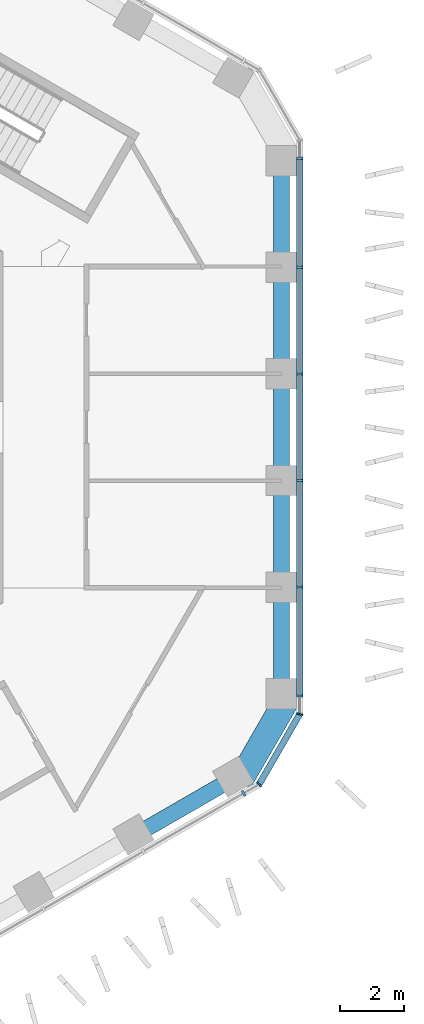
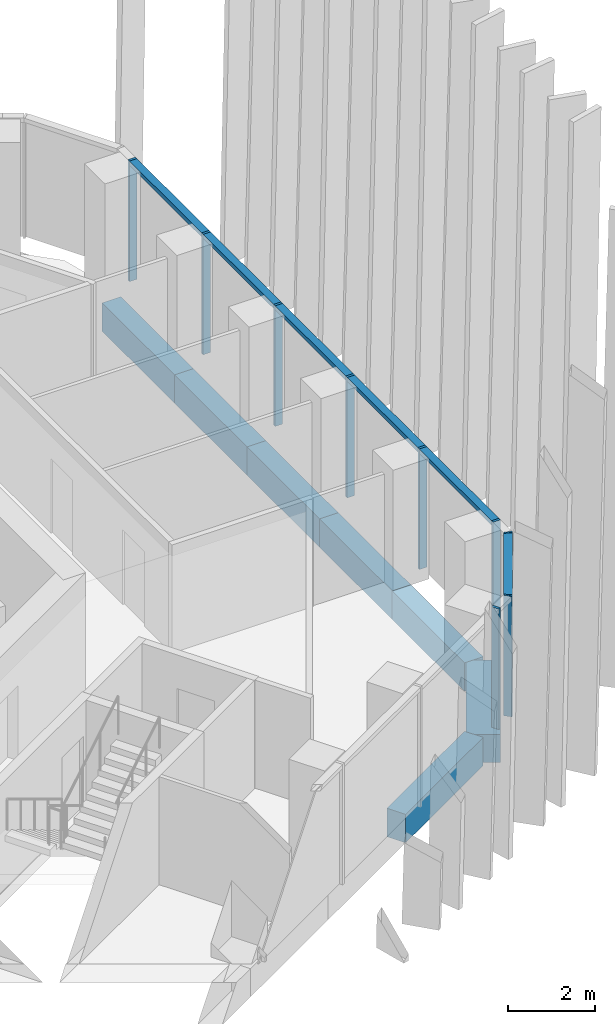
# One storey, part 5 of 21: 11 members, 7 beams, 3 elements without a shape of their own.
"""IFC4 building model written with IfcOpenShell, lengths in metres."""

from ifc_helpers import new_model, si_unit, direction, frame, origin, origin_2d, place, context, subcontext, project, spatial, rectangle, extrude, material, layer, layer_set, material_profile, profile_set, type_object, element, aggregate, save


model = new_model("IFC4")

# Units and contexts
model_context = context("Model", 3, precision=1e-05, world=origin(), true_north=direction((0.0, 1.0)))
body_context = subcontext(model_context, "Body", "Model", "MODEL_VIEW")
ifc_project = project(units=[si_unit("LENGTHUNIT", "METRE"), si_unit("AREAUNIT", "SQUARE_METRE"), si_unit("VOLUMEUNIT", "CUBIC_METRE"), si_unit("PLANEANGLEUNIT", "RADIAN"), si_unit("MASSUNIT", "GRAM", prefix="KILO")], contexts=[model_context])

# Site, building, storey
site_placement = place(None, origin())
site = spatial("IfcSite", under=ifc_project, at=site_placement, CompositionType="ELEMENT")
building_placement = place(site_placement, origin())
building = spatial("IfcBuilding", under=site, at=building_placement, Name="Ayvan Gate Tower", CompositionType="ELEMENT")
storey_placement = place(building_placement, frame((0.0, 0.0, 173.10009765625)))
storey = spatial("IfcBuildingStorey", under=building, at=storey_placement, Name="L46", CompositionType="ELEMENT", Elevation=173.10009765625)

# Beams
ifc_material_1 = material(Name="Concrete C40/50", Category="concrete")
ifc_material_profile_1 = material_profile(ifc_material_1, rectangle(XDim=0.800048828125, YDim=0.800048828125, at=origin_2d()), Name="RC 800x800")
ifc_profile_set_1 = profile_set([ifc_material_profile_1], Name="Concrete C40/50")
beam_type_1 = type_object("IfcBeamType", Name="Corner spandrel beam RC 800x800 C40/50", PredefinedType="BEAM", material=ifc_profile_set_1)
beam_1_placement = place(storey_placement, frame((16.876953125, -11.080078125, -0.75), z_axis=(0.499990139034, 0.866031096941, 0.0), x_axis=(-0.866031096941, 0.499990139034, 0.0)))
element("IfcBeam", 1, at=beam_1_placement, inside=storey, type_object=beam_type_1, Name="SB-L46-36", PredefinedType="BEAM", context=body_context, shape_type="SweptSolid", body=[
    extrude(rectangle(XDim=0.800048828125, YDim=0.800048828125, at=origin_2d()), origin(), (0.0, 0.0, 1.0), 3.0),
])
ifc_material_profile_2 = material_profile(ifc_material_1, rectangle(XDim=0.5, YDim=0.800048828125, at=origin_2d()), Name="RC 500x800")
ifc_profile_set_2 = profile_set([ifc_material_profile_2], Name="Concrete C40/50")
beam_type_2 = type_object("IfcBeamType", Name="Spandrel beam RC 500x800 C40/50", PredefinedType="BEAM", material=ifc_profile_set_2)
beam_2_placement = place(storey_placement, frame((18.1865234375, -8.371826171875, -0.75), z_axis=(0.0, 1.0, 0.0), x_axis=(-1.0, 0.0, 0.0)))
element("IfcBeam", 2, at=beam_2_placement, inside=storey, type_object=beam_type_2, Name="SB-L46-1", PredefinedType="BEAM", context=body_context, shape_type="SweptSolid", body=[
    extrude(rectangle(XDim=0.5, YDim=0.800048828125, at=origin_2d()), origin(), (0.0, 0.0, 1.0), 3.3486328125),
])
beam_3_placement = place(storey_placement, frame((18.1865234375, -5.023193359375, -0.75), z_axis=(0.0, 1.0, 0.0), x_axis=(-1.0, 0.0, 0.0)))
element("IfcBeam", 3, at=beam_3_placement, inside=storey, type_object=beam_type_2, Name="SB-L46-2", PredefinedType="BEAM", context=body_context, shape_type="SweptSolid", body=[
    extrude(rectangle(XDim=0.5, YDim=0.800048828125, at=origin_2d()), origin(), (0.0, 0.0, 1.0), 3.348876953125),
])
beam_4_placement = place(storey_placement, frame((18.1865234375, -1.67431640625, -0.75), z_axis=(0.0, 1.0, 0.0), x_axis=(-1.0, 0.0, 0.0)))
element("IfcBeam", 4, at=beam_4_placement, inside=storey, type_object=beam_type_2, Name="SB-L46-3", PredefinedType="BEAM", context=body_context, shape_type="SweptSolid", body=[
    extrude(rectangle(XDim=0.5, YDim=0.800048828125, at=origin_2d()), origin(), (0.0, 0.0, 1.0), 3.3486328125),
])
beam_5_placement = place(storey_placement, frame((18.1865234375, 1.67431640625, -0.75), z_axis=(0.0, 1.0, 0.0), x_axis=(-1.0, 0.0, 0.0)))
element("IfcBeam", 5, at=beam_5_placement, inside=storey, type_object=beam_type_2, Name="SB-L46-4", PredefinedType="BEAM", context=body_context, shape_type="SweptSolid", body=[
    extrude(rectangle(XDim=0.5, YDim=0.800048828125, at=origin_2d()), origin(), (0.0, 0.0, 1.0), 3.348876953125),
])
beam_6_placement = place(storey_placement, frame((18.1865234375, 5.023193359375, -0.75), z_axis=(0.0, 1.0, 0.0), x_axis=(-1.0, 0.0, 0.0)))
element("IfcBeam", 6, at=beam_6_placement, inside=storey, type_object=beam_type_2, Name="SB-L46-5", PredefinedType="BEAM", context=body_context, shape_type="SweptSolid", body=[
    extrude(rectangle(XDim=0.5, YDim=0.800048828125, at=origin_2d()), origin(), (0.0, 0.0, 1.0), 3.3486328125),
])
beam_7_placement = place(storey_placement, frame((13.58056640625, -12.76318359375, -0.75), z_axis=(0.866026881282, 0.499997440891, 0.0), x_axis=(-0.499997440891, 0.866026881282, 0.0)))
element("IfcBeam", 7, at=beam_7_placement, inside=storey, type_object=beam_type_2, Name="SB-L46-35", PredefinedType="BEAM", context=body_context, shape_type="SweptSolid", body=[
    extrude(rectangle(XDim=0.5, YDim=0.800048828125, at=origin_2d()), origin(), (0.0, 0.0, 1.0), 3.58642578125),
])

# Curtain wall, member
ifc_material_2 = material(Name="Bronze anodised aluminium", Category="aluminium")
ifc_layer_1 = layer(ifc_material_2, 0.199951171875)
ifc_layer_set_1 = layer_set([ifc_layer_1], Name="Bronze anodised aluminium")
curtain_wall_type_1 = type_object("IfcCurtainWallType", Name="Stick curtain wall CW-2", PredefinedType="NOTDEFINED", material=ifc_layer_set_1)
curtain_wall_1_placement = place(storey_placement, origin())
curtain_wall_1 = element("IfcCurtainWall", 8, at=curtain_wall_1_placement, inside=storey, type_object=curtain_wall_type_1, Name="Stick curtain wall CW-2 L46", PredefinedType="NOTDEFINED")
ifc_material_profile_3 = material_profile(ifc_material_2, rectangle(XDim=0.199951171875, YDim=0.070068359375, at=origin_2d()), Name="Stick curtain wall CW-2 mullion 200 x 70")
ifc_profile_set_3 = profile_set([ifc_material_profile_3], Name="Bronze anodised aluminium")
member_type_1 = type_object("IfcMemberType", Name="Stick curtain wall CW-2 mullion 200 x 70", PredefinedType="MULLION", material=ifc_profile_set_3)
member_1_placement = place(storey_placement, frame((17.00927734375, -11.432373046875, 0.0), z_axis=(0.0, 0.0, 1.0), x_axis=(0.5, -0.866025403784, 0.0)))
member_1 = element("IfcMember", 9, at=member_1_placement, type_object=member_type_1, Name="CW-2 mullion 6", PredefinedType="MULLION", context=body_context, shape_type="SweptSolid", body=[
    extrude(rectangle(XDim=0.199951171875, YDim=0.070068359375, at=origin_2d()), origin(), (0.0, 0.0, 1.0), 3.39990234375),
])
aggregate(curtain_wall_1, [member_1])

# Curtain wall, members
curtain_wall_2_placement = place(storey_placement, origin())
curtain_wall_2 = element("IfcCurtainWall", 10, at=curtain_wall_2_placement, inside=storey, type_object=curtain_wall_type_1, Name="Stick curtain wall CW-2 L46", PredefinedType="NOTDEFINED")
member_2_placement = place(storey_placement, frame((18.761474609375, -8.3974609375, 0.0), z_axis=(0.0, 0.0, 1.0), x_axis=(1.0, 0.0, 0.0)))
member_2 = element("IfcMember", 11, at=member_2_placement, type_object=member_type_1, Name="CW-2 mullion 1", PredefinedType="MULLION", context=body_context, shape_type="SweptSolid", body=[
    extrude(rectangle(XDim=0.199951171875, YDim=0.070068359375, at=origin_2d()), origin(), (0.0, 0.0, 1.0), 3.39990234375),
])
member_3_placement = place(storey_placement, frame((18.761474609375, -4.993408203125, 0.0), z_axis=(0.0, 0.0, 1.0), x_axis=(1.0, 0.0, 0.0)))
member_3 = element("IfcMember", 12, at=member_3_placement, type_object=member_type_1, Name="CW-2 mullion 2", PredefinedType="MULLION", context=body_context, shape_type="SweptSolid", body=[
    extrude(rectangle(XDim=0.199951171875, YDim=0.070068359375, at=origin_2d()), origin(), (0.0, 0.0, 1.0), 3.39990234375),
])
member_4_placement = place(storey_placement, frame((18.761474609375, -1.66455078125, 0.0), z_axis=(0.0, 0.0, 1.0), x_axis=(1.0, 0.0, 0.0)))
member_4 = element("IfcMember", 13, at=member_4_placement, type_object=member_type_1, Name="CW-2 mullion 3", PredefinedType="MULLION", context=body_context, shape_type="SweptSolid", body=[
    extrude(rectangle(XDim=0.199951171875, YDim=0.070068359375, at=origin_2d()), origin(), (0.0, 0.0, 1.0), 3.39990234375),
])
member_5_placement = place(storey_placement, frame((18.761474609375, 1.66455078125, 0.0), z_axis=(0.0, 0.0, 1.0), x_axis=(1.0, 0.0, 0.0)))
member_5 = element("IfcMember", 14, at=member_5_placement, type_object=member_type_1, Name="CW-2 mullion 4", PredefinedType="MULLION", context=body_context, shape_type="SweptSolid", body=[
    extrude(rectangle(XDim=0.199951171875, YDim=0.070068359375, at=origin_2d()), origin(), (0.0, 0.0, 1.0), 3.39990234375),
])
member_6_placement = place(storey_placement, frame((18.761474609375, 4.993408203125, 0.0), z_axis=(0.0, 0.0, 1.0), x_axis=(1.0, 0.0, 0.0)))
member_6 = element("IfcMember", 15, at=member_6_placement, type_object=member_type_1, Name="CW-2 mullion 5", PredefinedType="MULLION", context=body_context, shape_type="SweptSolid", body=[
    extrude(rectangle(XDim=0.199951171875, YDim=0.070068359375, at=origin_2d()), origin(), (0.0, 0.0, 1.0), 3.39990234375),
])
member_7_placement = place(storey_placement, frame((18.761474609375, 8.3974609375, 0.0), z_axis=(0.0, 0.0, 1.0), x_axis=(1.0, 0.0, 0.0)))
member_7 = element("IfcMember", 16, at=member_7_placement, type_object=member_type_1, Name="CW-2 mullion 6", PredefinedType="MULLION", context=body_context, shape_type="SweptSolid", body=[
    extrude(rectangle(XDim=0.199951171875, YDim=0.070068359375, at=origin_2d()), origin(), (0.0, 0.0, 1.0), 3.39990234375),
])
ifc_material_profile_4 = material_profile(ifc_material_2, rectangle(XDim=0.199951171875, YDim=0.1201171875, at=origin_2d()), Name="Stick curtain wall CW-2 transom 200 x 120")
ifc_profile_set_4 = profile_set([ifc_material_profile_4], Name="Bronze anodised aluminium")
member_type_2 = type_object("IfcMemberType", Name="Stick curtain wall CW-2 transom 200 x 120", PredefinedType="USERDEFINED", material=ifc_profile_set_4)
member_8_placement = place(storey_placement, frame((18.761474609375, -8.3974609375, 3.33984375), z_axis=(0.0, 1.0, 0.0), x_axis=(-1.0, 0.0, 0.0)))
member_8 = element("IfcMember", 17, at=member_8_placement, type_object=member_type_2, Name="CW-2 transom 1", ObjectType="TRANSOM", PredefinedType="USERDEFINED", context=body_context, shape_type="SweptSolid", body=[
    extrude(rectangle(XDim=0.199951171875, YDim=0.1201171875, at=origin_2d()), origin(), (0.0, 0.0, 1.0), 16.794921875),
])
aggregate(curtain_wall_2, [member_2, member_3, member_4, member_5, member_6, member_7, member_8])

ifc_layer_2 = layer(ifc_material_2, 0.199951171875)
ifc_layer_set_2 = layer_set([ifc_layer_2], Name="Bronze anodised aluminium")
curtain_wall_type_2 = type_object("IfcCurtainWallType", Name="Stick curtain wall CW-6", PredefinedType="NOTDEFINED", material=ifc_layer_set_2)
curtain_wall_3_placement = place(storey_placement, origin())
curtain_wall_3 = element("IfcCurtainWall", 18, at=curtain_wall_3_placement, inside=storey, type_object=curtain_wall_type_2, Name="Stick curtain wall CW-6 L46", PredefinedType="NOTDEFINED")
ifc_material_profile_5 = material_profile(ifc_material_2, rectangle(XDim=0.199951171875, YDim=0.050048828125, at=origin_2d()), Name="Stick curtain wall CW-6 mullion 200 x 50")
ifc_profile_set_5 = profile_set([ifc_material_profile_5], Name="Bronze anodised aluminium")
member_type_3 = type_object("IfcMemberType", Name="Stick curtain wall CW-6 mullion 200 x 50", PredefinedType="MULLION", material=ifc_profile_set_5)
member_9_placement = place(storey_placement, frame((17.494140625, -11.152587890625, 0.0), z_axis=(0.0, 0.0, 1.0), x_axis=(0.707106781187, -0.707106781187, 0.0)))
member_9 = element("IfcMember", 19, at=member_9_placement, type_object=member_type_3, Name="CW-6 mullion 2", PredefinedType="MULLION", context=body_context, shape_type="SweptSolid", body=[
    extrude(rectangle(XDim=0.199951171875, YDim=0.050048828125, at=origin_2d()), origin(), (0.0, 0.0, 1.0), 3.39990234375),
])
member_10_placement = place(storey_placement, frame((18.761474609375, -8.95751953125, 0.0), z_axis=(0.0, 0.0, 1.0), x_axis=(0.965925826289, -0.258819045103, 0.0)))
member_10 = element("IfcMember", 20, at=member_10_placement, type_object=member_type_3, Name="CW-6 mullion 3", PredefinedType="MULLION", context=body_context, shape_type="SweptSolid", body=[
    extrude(rectangle(XDim=0.199951171875, YDim=0.050048828125, at=origin_2d()), origin(), (0.0, 0.0, 1.0), 3.39990234375),
])
ifc_material_profile_6 = material_profile(ifc_material_2, rectangle(XDim=0.199951171875, YDim=0.1201171875, at=origin_2d()), Name="Stick curtain wall CW-6 transom 200 x 120")
ifc_profile_set_6 = profile_set([ifc_material_profile_6], Name="Bronze anodised aluminium")
member_type_4 = type_object("IfcMemberType", Name="Stick curtain wall CW-6 transom 200 x 120", PredefinedType="USERDEFINED", material=ifc_profile_set_6)
member_11_placement = place(storey_placement, frame((17.5068359375, -11.130859375, 3.33984375), z_axis=(0.499986149909, 0.86603339999, 0.0), x_axis=(-0.86603339999, 0.499986149909, 0.0)))
member_11 = element("IfcMember", 21, at=member_11_placement, type_object=member_type_4, Name="CW-6 transom 2", ObjectType="TRANSOM", PredefinedType="USERDEFINED", context=body_context, shape_type="SweptSolid", body=[
    extrude(rectangle(XDim=0.199951171875, YDim=0.1201171875, at=origin_2d()), origin(), (0.0, 0.0, 1.0), 2.484375),
])
aggregate(curtain_wall_3, [member_9, member_10, member_11])

save(model, "model.ifc")
